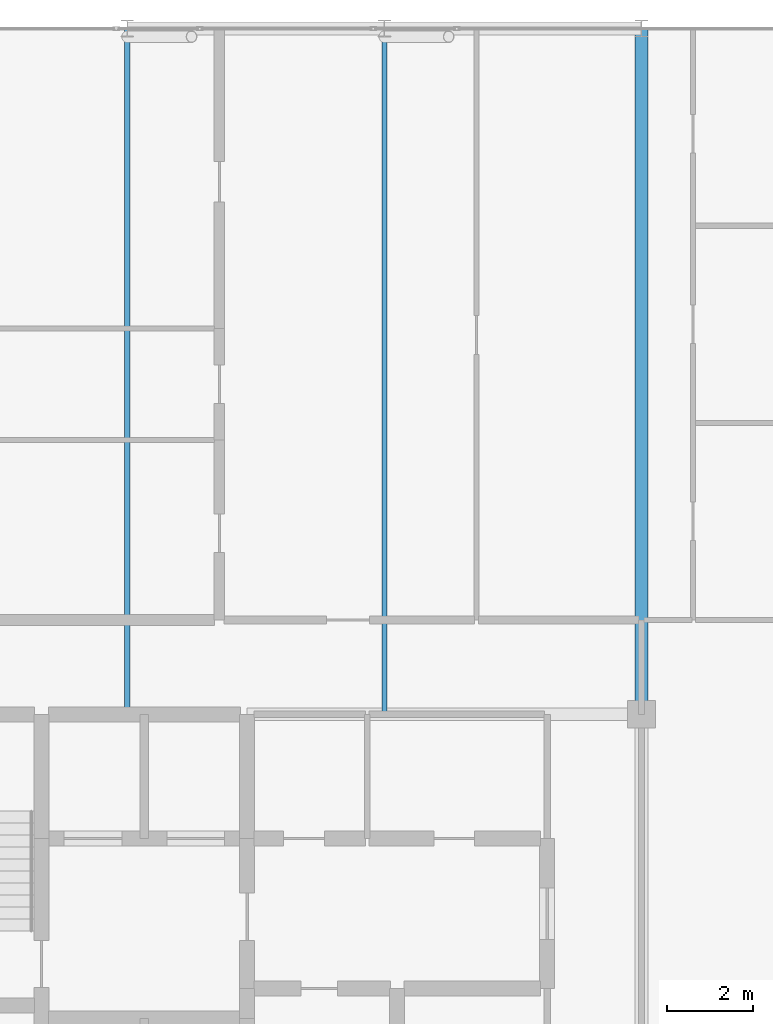
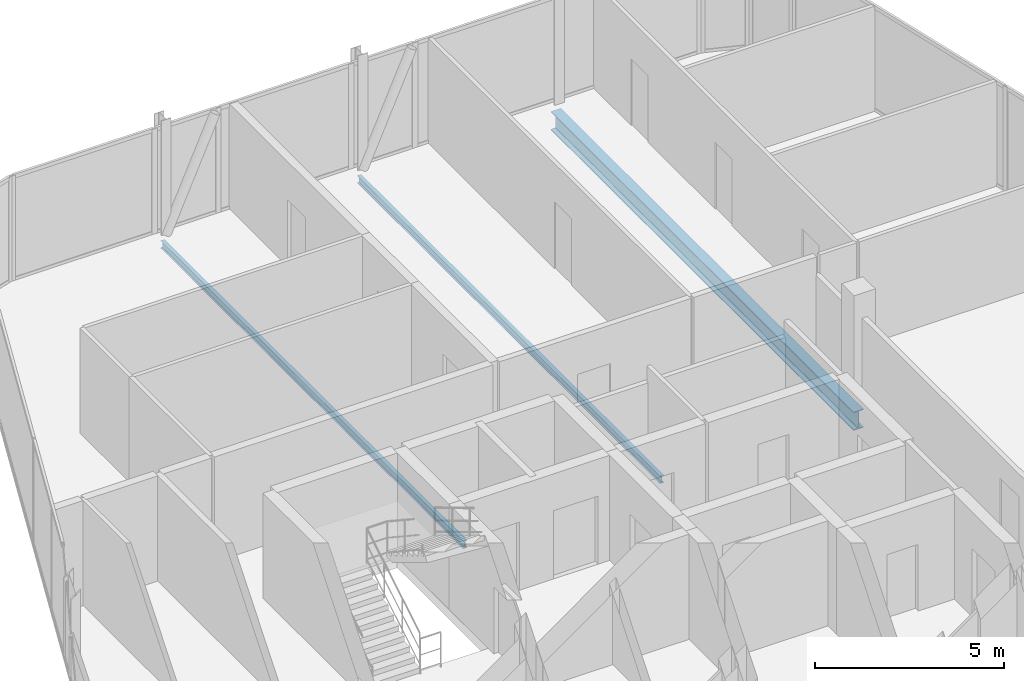
# One storey, part 16 of 27: 3 beams.
"""IFC4 building model written with IfcOpenShell, lengths in metres."""

from ifc_helpers import new_model, si_unit, direction, frame, origin, origin_2d, place, context, subcontext, project, spatial, i_section, extrude, material, material_profile, profile_set, type_object, element, save


model = new_model("IFC4")

# Units and contexts
model_context = context("Model", 3, precision=1e-05, world=origin(), true_north=direction((0.0, 1.0)))
body_context = subcontext(model_context, "Body", "Model", "MODEL_VIEW")
ifc_project = project(units=[si_unit("LENGTHUNIT", "METRE"), si_unit("AREAUNIT", "SQUARE_METRE"), si_unit("VOLUMEUNIT", "CUBIC_METRE"), si_unit("PLANEANGLEUNIT", "RADIAN"), si_unit("MASSUNIT", "GRAM", prefix="KILO")], contexts=[model_context])

# Site, building, storey
site_placement = place(None, origin())
site = spatial("IfcSite", under=ifc_project, at=site_placement, CompositionType="ELEMENT")
building_placement = place(site_placement, origin())
building = spatial("IfcBuilding", under=site, at=building_placement, Name="Keshet Zoharim Tower", CompositionType="ELEMENT")
storey_placement = place(building_placement, frame((0.0, 0.0, 307.300048828125)))
storey = spatial("IfcBuildingStorey", under=building, at=storey_placement, Name="L77", CompositionType="ELEMENT", Elevation=307.300048828125)

# Beams
ifc_material = material(Name="Steel S355", Category="steel")
ifc_material_profile_1 = material_profile(ifc_material, i_section(OverallWidth=0.1201171875, OverallDepth=0.239990234375, WebThickness=0.006103515625, FlangeThickness=0.009765625, FilletRadius=0.014892578125, at=origin_2d()), Name="IPE240")
ifc_profile_set_1 = profile_set([ifc_material_profile_1], Name="Steel S355")
beam_type_1 = type_object("IfcBeamType", Name="BM-JST-IP240", PredefinedType="JOIST", material=ifc_profile_set_1)
for number, where, z_axis, x_axis, name in (
    (1, (21.0, 37.89990234375, -0.429931640625), (0.0, 1.0, 0.0), (-1.0, 0.0, 0.0), "L77 Secondary Floor Joist J-001"),
    (2, (27.0, 37.89990234375, -0.429931640625), (0.0, 1.0, 0.0), (-1.0, 0.0, 0.0), "L77 Secondary Floor Joist J-002"),
):
    element("IfcBeam", number, at=place(storey_placement, frame(where, z_axis=z_axis, x_axis=x_axis)), inside=storey, type_object=beam_type_1, Name=name, PredefinedType="JOIST", context=body_context, shape_type="SweptSolid", body=[
        extrude(i_section(OverallWidth=0.1201171875, OverallDepth=0.239990234375, WebThickness=0.006103515625, FlangeThickness=0.009765625, FilletRadius=0.014892578125, at=origin_2d()), origin(), (0.0, 0.0, 1.0), 16.0),
    ])
ifc_material_profile_2 = material_profile(ifc_material, i_section(OverallWidth=0.300048828125, OverallDepth=0.60009765625, WebThickness=0.015380859375, FlangeThickness=0.030029296875, FilletRadius=0.027099609375, at=origin_2d()), Name="HEB600")
ifc_profile_set_2 = profile_set([ifc_material_profile_2], Name="Steel S355")
beam_type_2 = type_object("IfcBeamType", Name="BM-LNG-HB600", PredefinedType="BEAM", material=ifc_profile_set_2)
beam_placement = place(storey_placement, frame((33.0, 37.89990234375, -0.610107421875), z_axis=(0.0, 1.0, 0.0), x_axis=(-1.0, 0.0, 0.0)))
element("IfcBeam", 3, at=beam_placement, inside=storey, type_object=beam_type_2, Name="L77 Primary Girder Y-009", PredefinedType="BEAM", context=body_context, shape_type="SweptSolid", body=[
    extrude(i_section(OverallWidth=0.300048828125, OverallDepth=0.60009765625, WebThickness=0.015380859375, FlangeThickness=0.030029296875, FilletRadius=0.027099609375, at=origin_2d()), origin(), (0.0, 0.0, 1.0), 16.0),
])

save(model, "model.ifc")
